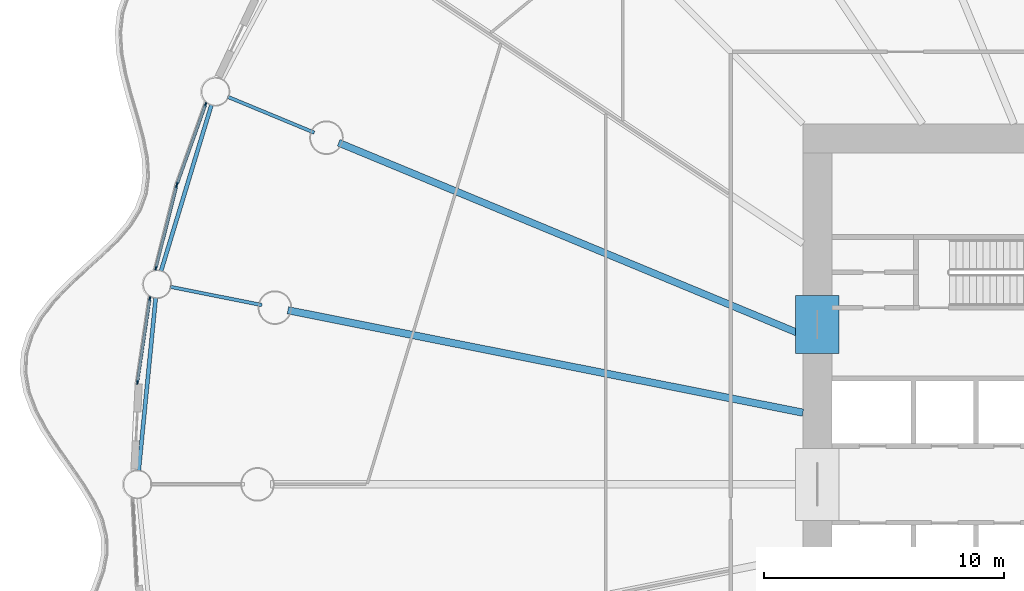
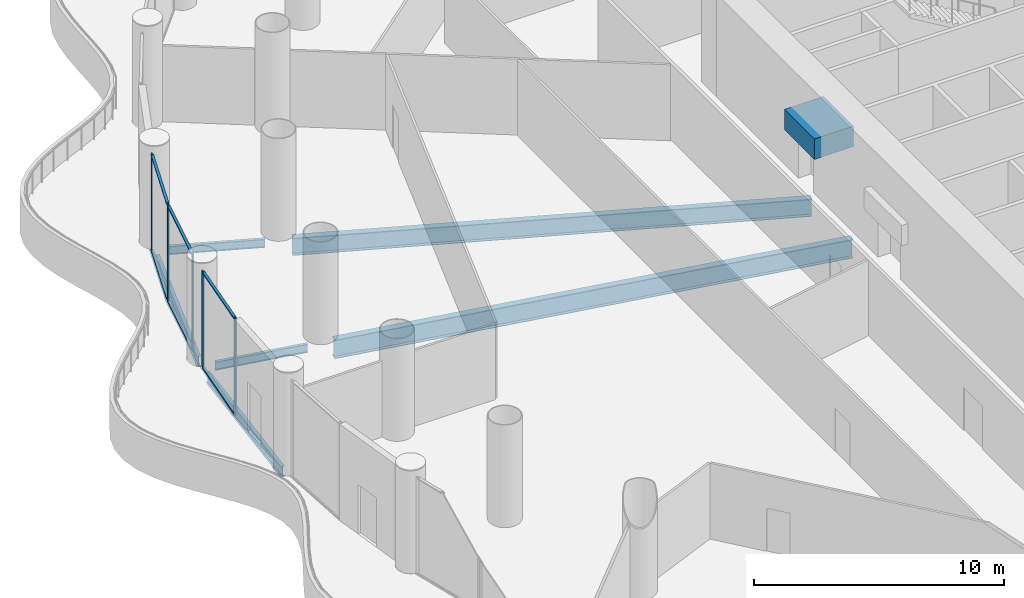
# One storey, part 8 of 38: 12 members, 7 beams, 3 elements without a shape of their own.
"""IFC4 building model written with IfcOpenShell, lengths in metres."""

import ifcopenshell
import ifcopenshell.guid

model = None  # the IFC model being written
_history = None  # IfcOwnerHistory: only IFC2X3 demands one
_inside = {}  # id of a spatial element -> (the spatial element, [elements in it])
_under = {}  # id of a project, library or spatial element -> (it, [spatial elements below it])
_declared = {}  # id of a project -> (the project, [libraries it declares])
_typed = {}  # id of a type object -> (the type object, [elements of that type])
_made_of = {}  # id of a material, layer set ... -> (it, [elements and type objects made of it])


def new_model(schema):
    """Start an empty IFC model of exactly this schema.

    Asked for "IFC4X3", IfcOpenShell would pick the latest addendum, in which some entities
    have other attributes; the version numbers below select the first issue.
    IFC2X3 requires an IfcOwnerHistory on every rooted entity: one is made here for all.
    """
    global model, _history
    if schema == "IFC4X3":
        model = ifcopenshell.file(schema_version=(4, 3, 0, 0))
    else:
        model = ifcopenshell.file(schema=schema)
    _inside.clear()
    _under.clear()
    _declared.clear()
    _typed.clear()
    _made_of.clear()
    _history = None
    if model.schema == "IFC2X3":
        org = make("IfcOrganization", Name="unknown")
        user = make(
            "IfcPersonAndOrganization",
            ThePerson=make("IfcPerson", FamilyName="unknown"),
            TheOrganization=org,
        )
        app = make(
            "IfcApplication",
            ApplicationDeveloper=org,
            Version="unknown",
            ApplicationFullName="unknown",
            ApplicationIdentifier="unknown",
        )
        _history = make(
            "IfcOwnerHistory",
            OwningUser=user,
            OwningApplication=app,
            ChangeAction="ADDED",
            CreationDate=0,
        )
    return model


def make(cls, **values):
    """One entity of the class cls with the attributes given. An attribute that is None is left unset."""
    return model.create_entity(
        cls, **{name: value for name, value in values.items() if value is not None}
    )


def rooted(cls, **values):
    """An entity with a GlobalId (a new one), such as an element, a storey or a relation."""
    return make(cls, GlobalId=ifcopenshell.guid.new(), OwnerHistory=_history, **values)


def si_unit(unit_type, name, prefix=None):
    """IfcSIUnit, for example si_unit("LENGTHUNIT", "METRE", prefix="MILLI")."""
    return make("IfcSIUnit", UnitType=unit_type, Prefix=prefix, Name=name)


def assignment(units):
    """IfcUnitAssignment: the units of a project."""
    return None if units is None else make("IfcUnitAssignment", Units=units)


def point(xyz):
    """IfcCartesianPoint."""
    return None if xyz is None else make("IfcCartesianPoint", Coordinates=xyz)


def direction(xyz):
    """IfcDirection."""
    return None if xyz is None else make("IfcDirection", DirectionRatios=xyz)


def frame(location, z_axis=None, x_axis=None):
    """IfcAxis2Placement3D, a coordinate frame: its origin and axes. An axis left out is left unset."""
    return make(
        "IfcAxis2Placement3D",
        Location=point(location),
        Axis=direction(z_axis),
        RefDirection=direction(x_axis),
    )


def frame_2d(location, x_axis=None):
    """IfcAxis2Placement2D, a coordinate frame in the plane: its origin and x axis."""
    return make(
        "IfcAxis2Placement2D", Location=point(location), RefDirection=direction(x_axis)
    )


def origin():
    """The frame at (0, 0, 0) with its axes left unset."""
    return frame((0.0, 0.0, 0.0))


def origin_2d():
    """The frame at (0, 0) in the plane with its x axis left unset."""
    return frame_2d((0.0, 0.0))


def place(relative_to, where):
    """IfcLocalPlacement: puts the frame where relative to a parent placement (None: the world)."""
    return make(
        "IfcLocalPlacement", PlacementRelTo=relative_to, RelativePlacement=where
    )


def context(
    kind, dimensions, precision=None, world=None, true_north=None, identifier=None
):
    """IfcGeometricRepresentationContext, for example the 3D "Model" context."""
    return make(
        "IfcGeometricRepresentationContext",
        ContextIdentifier=identifier,
        ContextType=kind,
        CoordinateSpaceDimension=dimensions,
        Precision=precision,
        WorldCoordinateSystem=world,
        TrueNorth=true_north,
    )


def subcontext(parent, identifier, kind, view, scale=None):
    """IfcGeometricRepresentationSubContext, for example "Body" below "Model"."""
    return make(
        "IfcGeometricRepresentationSubContext",
        ContextIdentifier=identifier,
        ContextType=kind,
        ParentContext=parent,
        TargetScale=scale,
        TargetView=view,
    )


def project(units=None, contexts=None):
    """IfcProject with its units and contexts."""
    return rooted(
        "IfcProject",
        Name="project",
        RepresentationContexts=contexts,
        UnitsInContext=assignment(units),
    )


def spatial(cls, under=None, at=None, **own):
    """A site, building, storey or space (cls), placed at a placement, below another one or the project."""
    s = rooted(cls, ObjectPlacement=at, **own)
    if under is not None:
        _under.setdefault(under.id(), (under, []))[1].append(s)
    return s


def profile(cls, at=None, kind="AREA", **sizes):
    """A parametric profile (cls). Its sizes go by their IFC names, for example OverallWidth=200.0."""
    return make(cls, ProfileType=kind, Position=at, **sizes)


def rectangle(**sizes):
    """IfcRectangleProfileDef."""
    return profile("IfcRectangleProfileDef", **sizes)


def i_section(**sizes):
    """IfcIShapeProfileDef."""
    return profile("IfcIShapeProfileDef", **sizes)


def extrude(swept, where, along, depth):
    """IfcExtrudedAreaSolid: the profile swept, set in the frame where, extruded along a direction by depth."""
    return make(
        "IfcExtrudedAreaSolid",
        SweptArea=swept,
        Position=where,
        ExtrudedDirection=direction(along),
        Depth=depth,
    )


def shape(context_of_items, identifier, shape_type, items):
    """IfcShapeRepresentation: the items that make up one representation, for example the "Body"."""
    return make(
        "IfcShapeRepresentation",
        ContextOfItems=context_of_items,
        RepresentationIdentifier=identifier,
        RepresentationType=shape_type,
        Items=items,
    )


def material(Name=None, Category=None):
    """IfcMaterial."""
    return make("IfcMaterial", Name=Name, Category=Category)


def material_profile(
    of_material, cross_section, Name=None, Category=None, Priority=None
):
    """IfcMaterialProfile: a cross section and its material."""
    return make(
        "IfcMaterialProfile",
        Name=Name,
        Material=of_material,
        Profile=cross_section,
        Priority=Priority,
        Category=Category,
    )


def profile_set(profiles, Name=None, composite=None):
    """IfcMaterialProfileSet."""
    return make(
        "IfcMaterialProfileSet",
        Name=Name,
        MaterialProfiles=profiles,
        CompositeProfile=composite,
    )


def made_of(thing, what):
    """Note that an element or type object is made of a material, layer set ...; save() writes the relation."""
    if what is not None:
        _made_of.setdefault(what.id(), (what, []))[1].append(thing)
    return thing


def type_object(cls, material=None, **own):
    """A type object (cls), such as IfcWallType, which elements share."""
    return made_of(rooted(cls, **own), material)


def element(
    cls,
    number,
    at=None,
    inside=None,
    cuts=None,
    type_object=None,
    material=None,
    context=None,
    identifier="Body",
    shape_type=None,
    held_by="IfcProductDefinitionShape",
    body=None,
    shapes=None,
    **own,
):
    """One element of the class cls, such as IfcWall. Its Tag is "e" and its number.

    at: its placement. inside: the storey or other place that contains it. cuts: it is an
    opening in that element (IfcRelVoidsElement). A single representation is given by context,
    identifier, shape_type and body (its items); several are given by shapes. held_by: the class
    of the entity that holds the representations. save() writes the other relations.
    """
    e = rooted(cls, Tag="e%d" % number, ObjectPlacement=at, **own)
    if body is not None:
        shapes = [shape(context, identifier, shape_type, body)]
    if shapes is not None:
        e.Representation = make(held_by, Representations=shapes)
    if inside is not None:
        _inside.setdefault(inside.id(), (inside, []))[1].append(e)
    if cuts is not None:
        rooted(
            "IfcRelVoidsElement", RelatingBuildingElement=cuts, RelatedOpeningElement=e
        )
    if type_object is not None:
        _typed.setdefault(type_object.id(), (type_object, []))[1].append(e)
    return made_of(e, material)


def aggregate(whole, parts):
    """IfcRelAggregates: a whole, such as a stair, and the parts it consists of."""
    return rooted("IfcRelAggregates", RelatingObject=whole, RelatedObjects=parts)


def save(model, path):
    """Write the relations noted so far, then the file.

    IfcRelAggregates (storeys below a building ...), IfcRelContainedInSpatialStructure (elements
    in a storey), IfcRelDefinesByType, IfcRelAssociatesMaterial and IfcRelDeclares: one each for
    every whole, place, type object, material and project.
    """
    for whole, parts in _under.values():
        aggregate(whole, parts)
    for where, things in _inside.values():
        rooted(
            "IfcRelContainedInSpatialStructure",
            RelatedElements=things,
            RelatingStructure=where,
        )
    for kind, things in _typed.values():
        rooted("IfcRelDefinesByType", RelatedObjects=things, RelatingType=kind)
    for what, things in _made_of.values():
        rooted("IfcRelAssociatesMaterial", RelatedObjects=things, RelatingMaterial=what)
    for by, libraries in _declared.values():
        rooted("IfcRelDeclares", RelatingContext=by, RelatedDefinitions=libraries)
    model.write(path)


model = new_model("IFC4")

# Units and contexts
model_context = context("Model", 3, precision=1e-05, world=origin(), true_north=direction((0.0, 1.0)))
body_context = subcontext(model_context, "Body", "Model", "MODEL_VIEW")
ifc_project = project(units=[si_unit("LENGTHUNIT", "METRE"), si_unit("AREAUNIT", "SQUARE_METRE"), si_unit("VOLUMEUNIT", "CUBIC_METRE"), si_unit("PLANEANGLEUNIT", "RADIAN"), si_unit("MASSUNIT", "GRAM", prefix="KILO")], contexts=[model_context])

# Site, building, storey
site_placement = place(None, origin())
site = spatial("IfcSite", under=ifc_project, at=site_placement, CompositionType="ELEMENT")
building_placement = place(site_placement, origin())
building = spatial("IfcBuilding", under=site, at=building_placement, Name="Corvane Civic Tower", CompositionType="ELEMENT")
storey_placement = place(building_placement, frame((0.0, 0.0, 32.0)))
storey = spatial("IfcBuildingStorey", under=building, at=storey_placement, Name="L06", CompositionType="ELEMENT", Elevation=32.0)

# Beams
ifc_material_1 = material(Name="Concrete C80/95", Category="concrete")
ifc_material_profile_1 = material_profile(ifc_material_1, rectangle(XDim=1.800048828125, YDim=1.0, at=origin_2d()), Name="COUPLING BEAM 1800X1000")
ifc_profile_set_1 = profile_set([ifc_material_profile_1], Name="Concrete C80/95")
beam_type_1 = type_object("IfcBeamType", Name="COUPLING BEAM COUPLING BEAM 1800X1000", PredefinedType="BEAM", material=ifc_profile_set_1)
beam_1_placement = place(storey_placement, frame((-14.39990234375, 5.449951171875, 2.60009765625), z_axis=(0.0, 1.0, 0.0), x_axis=(-1.0, 0.0, 0.0)))
element("IfcBeam", 1, at=beam_1_placement, inside=storey, type_object=beam_type_1, Name="BM-L06-cpl-CW-WN", PredefinedType="BEAM", context=body_context, shape_type="SweptSolid", body=[
    extrude(rectangle(XDim=1.800048828125, YDim=1.0, at=origin_2d()), origin(), (0.0, 0.0, 1.0), 2.400146484375),
])
ifc_material_2 = material(Name="Steel ASTM A992 Gr 50", Category="steel")
ifc_material_profile_2 = material_profile(ifc_material_2, i_section(OverallWidth=0.165771484375, OverallDepth=0.5283203125, WebThickness=0.009765625, FlangeThickness=0.013671875, at=origin_2d()), Name="W21X50")
ifc_profile_set_2 = profile_set([ifc_material_profile_2], Name="Steel ASTM A992 Gr 50")
beam_type_2 = type_object("IfcBeamType", Name="EDGE BEAM W21X50", PredefinedType="BEAM", material=ifc_profile_set_2)
for number, where, z_axis, x_axis, name in (
    (2, (-42.64599609375, 0.54736328125, -0.564208984375), (0.097984225478, 0.995187967953, 0.0), (-0.995187967953, 0.097984225478, 0.0), "BM-L06-E25"),
    (3, (-41.719970703125, 8.856689453125, -0.564208984375), (0.290291633127, 0.956938225664, 0.0), (-0.956938225664, 0.290291633127, 0.0), "BM-L06-E26"),
):
    element("IfcBeam", number, at=place(storey_placement, frame(where, z_axis=z_axis, x_axis=x_axis)), inside=storey, type_object=beam_type_2, Name=name, PredefinedType="BEAM", context=body_context, shape_type="SweptSolid", body=[
        extrude(i_section(OverallWidth=0.165771484375, OverallDepth=0.5283203125, WebThickness=0.009765625, FlangeThickness=0.013671875, at=origin_2d()), origin(), (0.0, 0.0, 1.0), 7.2705078125),
    ])
ifc_material_3 = material(Name="Steel ASTM A992 Gr 50", Category="steel")
ifc_material_profile_3 = material_profile(ifc_material_3, i_section(OverallWidth=0.140380859375, OverallDepth=0.40380859375, WebThickness=0.007080078125, FlangeThickness=0.01123046875, at=origin_2d()), Name="W16X31")
ifc_profile_set_3 = profile_set([ifc_material_profile_3], Name="Steel ASTM A992 Gr 50")
beam_type_3 = type_object("IfcBeamType", Name="FLOOR GIRDER W16X31", PredefinedType="BEAM", material=ifc_profile_set_3)
for number, where, z_axis, x_axis, name in (
    (4, (-37.51513671875, 7.462158203125, -0.501953125), (-0.980777614264, 0.195128858343, 0.0), (-0.195128858343, -0.980777614264, 0.0), "BM-L06-G26b"),
    (5, (-35.33837890625, 14.6376953125, -0.501953125), (-0.923878730261, 0.382685369162, 0.0), (-0.382685369162, -0.923878730261, 0.0), "BM-L06-G27b"),
):
    element("IfcBeam", number, at=place(storey_placement, frame(where, z_axis=z_axis, x_axis=x_axis)), inside=storey, type_object=beam_type_3, Name=name, PredefinedType="BEAM", context=body_context, shape_type="SweptSolid", body=[
        extrude(i_section(OverallWidth=0.140380859375, OverallDepth=0.40380859375, WebThickness=0.007080078125, FlangeThickness=0.01123046875, at=origin_2d()), origin(), (0.0, 0.0, 1.0), 3.89990234375),
    ])
ifc_material_4 = material(Name="Steel ASTM A992 Gr 50", Category="steel")
ifc_material_profile_4 = material_profile(ifc_material_4, i_section(OverallWidth=0.2919921875, OverallDepth=0.845703125, WebThickness=0.015380859375, FlangeThickness=0.0244140625, at=origin_2d()), Name="W33X141")
ifc_profile_set_4 = profile_set([ifc_material_profile_4], Name="Steel ASTM A992 Gr 50")
beam_type_4 = type_object("IfcBeamType", Name="FLOOR GIRDER W33X141", PredefinedType="BEAM", material=ifc_profile_set_4)
beam_2_placement = place(storey_placement, frame((-15.0, 6.213134765625, -0.722900390625), z_axis=(-0.923875834355, 0.382692360381, 0.0), x_axis=(-0.382692360381, -0.923875834355, 0.0)))
element("IfcBeam", 6, at=beam_2_placement, inside=storey, type_object=beam_type_4, Name="BM-L06-G27", PredefinedType="BEAM", context=body_context, shape_type="SweptSolid", body=[
    extrude(i_section(OverallWidth=0.2919921875, OverallDepth=0.845703125, WebThickness=0.015380859375, FlangeThickness=0.0244140625, at=origin_2d()), origin(), (0.0, 0.0, 1.0), 20.9140625),
])
ifc_material_5 = material(Name="Steel ASTM A992 Gr 50", Category="steel")
ifc_material_profile_5 = material_profile(ifc_material_5, i_section(OverallWidth=0.3046875, OverallDepth=0.911865234375, WebThickness=0.015869140625, FlangeThickness=0.02392578125, at=origin_2d()), Name="W36X150")
ifc_profile_set_5 = profile_set([ifc_material_profile_5], Name="Steel ASTM A992 Gr 50")
beam_type_5 = type_object("IfcBeamType", Name="FLOOR GIRDER W36X150", PredefinedType="BEAM", material=ifc_profile_set_5)
beam_3_placement = place(storey_placement, frame((-15.0, 2.983642578125, -0.755859375), z_axis=(-0.980785499679, 0.195089219638, 0.0), x_axis=(-0.195089219638, -0.980785499679, 0.0)))
element("IfcBeam", 7, at=beam_3_placement, inside=storey, type_object=beam_type_5, Name="BM-L06-G26", PredefinedType="BEAM", context=body_context, shape_type="SweptSolid", body=[
    extrude(i_section(OverallWidth=0.3046875, OverallDepth=0.911865234375, WebThickness=0.015869140625, FlangeThickness=0.02392578125, at=origin_2d()), origin(), (0.0, 0.0, 1.0), 21.856201171875),
])

# Curtain wall, members
ifc_material_6 = material(Name="Aluminium and glass", Category="aluminium")
curtain_wall_type = type_object("IfcCurtainWallType", Name="PODIUM-CW-P-RUN", PredefinedType="NOTDEFINED", material=ifc_material_6)
curtain_wall_1_placement = place(storey_placement, origin())
curtain_wall_1 = element("IfcCurtainWall", 8, at=curtain_wall_1_placement, inside=storey, type_object=curtain_wall_type, Name="PODI run L06-drum-25B", PredefinedType="NOTDEFINED")
ifc_material_7 = material(Name="Anodised aluminium bronze", Category="aluminium")
ifc_material_profile_6 = material_profile(ifc_material_7, rectangle(XDim=0.06005859375, YDim=0.159912109375, at=origin_2d()), Name="AL 60x160")
ifc_profile_set_6 = profile_set([ifc_material_profile_6], Name="Anodised aluminium bronze")
member_type_1 = type_object("IfcMemberType", Name="PODIUM-CWP-MULLION-60x160", PredefinedType="MULLION", material=ifc_profile_set_6)
member_1_placement = place(storey_placement, frame((-42.696533203125, 4.2509765625, 0.0), z_axis=(0.0, 0.0, 1.0), x_axis=(-0.989178850608, 0.146714694252, 0.0)))
member_1 = element("IfcMember", 9, at=member_1_placement, type_object=member_type_1, Name="CW-P mullion 1", PredefinedType="MULLION", context=body_context, shape_type="SweptSolid", body=[
    extrude(rectangle(XDim=0.06005859375, YDim=0.159912109375, at=origin_2d()), origin(), (0.0, 0.0, 1.0), 4.699951171875),
])
member_2_placement = place(storey_placement, frame((-42.18017578125, 7.732666015625, 0.0), z_axis=(0.0, 0.0, 1.0), x_axis=(-0.989178850608, 0.146714694252, 0.0)))
member_2 = element("IfcMember", 10, at=member_2_placement, type_object=member_type_1, Name="CW-P mullion 2", PredefinedType="MULLION", context=body_context, shape_type="SweptSolid", body=[
    extrude(rectangle(XDim=0.06005859375, YDim=0.159912109375, at=origin_2d()), origin(), (0.0, 0.0, 1.0), 4.699951171875),
])

curtain_wall_2_placement = place(storey_placement, origin())
curtain_wall_2 = element("IfcCurtainWall", 11, at=curtain_wall_2_placement, inside=storey, type_object=curtain_wall_type, Name="PODI run L06-drum-26A", PredefinedType="NOTDEFINED")
member_3_placement = place(storey_placement, frame((-41.9287109375, 8.99755859375, 0.0), z_axis=(0.0, 0.0, 1.0), x_axis=(-0.970024070659, 0.243008852393, 0.0)))
member_3 = element("IfcMember", 12, at=member_3_placement, type_object=member_type_1, Name="CW-P mullion 1", PredefinedType="MULLION", context=body_context, shape_type="SweptSolid", body=[
    extrude(rectangle(XDim=0.06005859375, YDim=0.159912109375, at=origin_2d()), origin(), (0.0, 0.0, 1.0), 4.699951171875),
])
member_4_placement = place(storey_placement, frame((-41.0732421875, 12.411865234375, 0.0), z_axis=(0.0, 0.0, 1.0), x_axis=(-0.970024070659, 0.243008852393, 0.0)))
member_4 = element("IfcMember", 13, at=member_4_placement, type_object=member_type_1, Name="CW-P mullion 2", PredefinedType="MULLION", context=body_context, shape_type="SweptSolid", body=[
    extrude(rectangle(XDim=0.06005859375, YDim=0.159912109375, at=origin_2d()), origin(), (0.0, 0.0, 1.0), 4.699951171875),
])

curtain_wall_3_placement = place(storey_placement, origin())
curtain_wall_3 = element("IfcCurtainWall", 14, at=curtain_wall_3_placement, inside=storey, type_object=curtain_wall_type, Name="PODI run L06-drum-26B", PredefinedType="NOTDEFINED")
member_5_placement = place(storey_placement, frame((-41.046875, 12.4990234375, 0.0), z_axis=(0.0, 0.0, 1.0), x_axis=(-0.941533802561, 0.336918534123, 0.0)))
member_5 = element("IfcMember", 15, at=member_5_placement, type_object=member_type_1, Name="CW-P mullion 1", PredefinedType="MULLION", context=body_context, shape_type="SweptSolid", body=[
    extrude(rectangle(XDim=0.06005859375, YDim=0.159912109375, at=origin_2d()), origin(), (0.0, 0.0, 1.0), 4.699951171875),
])
member_6_placement = place(storey_placement, frame((-39.861083984375, 15.81298828125, 0.0), z_axis=(0.0, 0.0, 1.0), x_axis=(-0.941533802561, 0.336918534123, 0.0)))
member_6 = element("IfcMember", 16, at=member_6_placement, type_object=member_type_1, Name="CW-P mullion 2", PredefinedType="MULLION", context=body_context, shape_type="SweptSolid", body=[
    extrude(rectangle(XDim=0.06005859375, YDim=0.159912109375, at=origin_2d()), origin(), (0.0, 0.0, 1.0), 4.699951171875),
])

# Member
ifc_material_8 = material(Name="Anodised aluminium bronze", Category="aluminium")
ifc_material_profile_7 = material_profile(ifc_material_8, rectangle(XDim=0.1201171875, YDim=0.06005859375, at=origin_2d()), Name="AL 120x60")
ifc_profile_set_7 = profile_set([ifc_material_profile_7], Name="Anodised aluminium bronze")
member_type_2 = type_object("IfcMemberType", Name="PODIUM-CWP-TRANSOM-60x120", PredefinedType="USERDEFINED", material=ifc_profile_set_7)
member_7_placement = place(storey_placement, frame((-42.692138671875, 4.28076171875, 0.030029296875), z_axis=(0.146704660039, 0.989180338828, 0.0), x_axis=(-0.989180338828, 0.146704660039, 0.0)))
member_7 = element("IfcMember", 17, at=member_7_placement, type_object=member_type_2, Name="CW-P transom 1.1", ObjectType="TRANSOM", PredefinedType="USERDEFINED", context=body_context, shape_type="SweptSolid", body=[
    extrude(rectangle(XDim=0.1201171875, YDim=0.06005859375, at=origin_2d()), origin(), (0.0, 0.0, 1.0), 3.459716796875),
])

member_8_placement = place(storey_placement, frame((-42.692138671875, 4.28076171875, 4.669921875), z_axis=(0.146704660039, 0.989180338828, 0.0), x_axis=(-0.989180338828, 0.146704660039, 0.0)))
member_8 = element("IfcMember", 18, at=member_8_placement, type_object=member_type_2, Name="CW-P transom 1.2", ObjectType="TRANSOM", PredefinedType="USERDEFINED", context=body_context, shape_type="SweptSolid", body=[
    extrude(rectangle(XDim=0.1201171875, YDim=0.06005859375, at=origin_2d()), origin(), (0.0, 0.0, 1.0), 3.459716796875),
])

aggregate(curtain_wall_1, [member_1, member_2, member_7, member_8])

member_9_placement = place(storey_placement, frame((-41.92138671875, 9.026611328125, 0.030029296875), z_axis=(0.243017080124, 0.970022009425, 0.0), x_axis=(-0.970022009425, 0.243017080124, 0.0)))
member_9 = element("IfcMember", 19, at=member_9_placement, type_object=member_type_2, Name="CW-P transom 1.1", ObjectType="TRANSOM", PredefinedType="USERDEFINED", context=body_context, shape_type="SweptSolid", body=[
    extrude(rectangle(XDim=0.1201171875, YDim=0.06005859375, at=origin_2d()), origin(), (0.0, 0.0, 1.0), 3.4599609375),
])

member_10_placement = place(storey_placement, frame((-41.92138671875, 9.026611328125, 4.669921875), z_axis=(0.243017080124, 0.970022009425, 0.0), x_axis=(-0.970022009425, 0.243017080124, 0.0)))
member_10 = element("IfcMember", 20, at=member_10_placement, type_object=member_type_2, Name="CW-P transom 1.2", ObjectType="TRANSOM", PredefinedType="USERDEFINED", context=body_context, shape_type="SweptSolid", body=[
    extrude(rectangle(XDim=0.1201171875, YDim=0.06005859375, at=origin_2d()), origin(), (0.0, 0.0, 1.0), 3.4599609375),
])

aggregate(curtain_wall_2, [member_3, member_4, member_9, member_10])

member_11_placement = place(storey_placement, frame((-41.036865234375, 12.527099609375, 0.030029296875), z_axis=(0.336939787896, 0.941526196838, 0.0), x_axis=(-0.941526196838, 0.336939787896, 0.0)))
member_11 = element("IfcMember", 21, at=member_11_placement, type_object=member_type_2, Name="CW-P transom 1.1", ObjectType="TRANSOM", PredefinedType="USERDEFINED", context=body_context, shape_type="SweptSolid", body=[
    extrude(rectangle(XDim=0.1201171875, YDim=0.06005859375, at=origin_2d()), origin(), (0.0, 0.0, 1.0), 3.4599609375),
])

member_12_placement = place(storey_placement, frame((-41.036865234375, 12.527099609375, 4.669921875), z_axis=(0.336939787896, 0.941526196838, 0.0), x_axis=(-0.941526196838, 0.336939787896, 0.0)))
member_12 = element("IfcMember", 22, at=member_12_placement, type_object=member_type_2, Name="CW-P transom 1.2", ObjectType="TRANSOM", PredefinedType="USERDEFINED", context=body_context, shape_type="SweptSolid", body=[
    extrude(rectangle(XDim=0.1201171875, YDim=0.06005859375, at=origin_2d()), origin(), (0.0, 0.0, 1.0), 3.4599609375),
])

aggregate(curtain_wall_3, [member_5, member_6, member_11, member_12])

save(model, "model.ifc")
